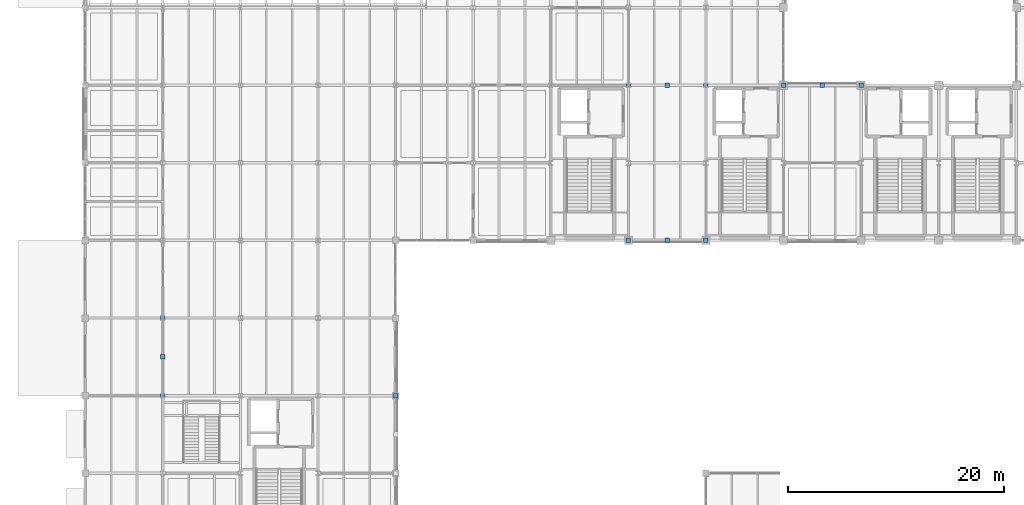
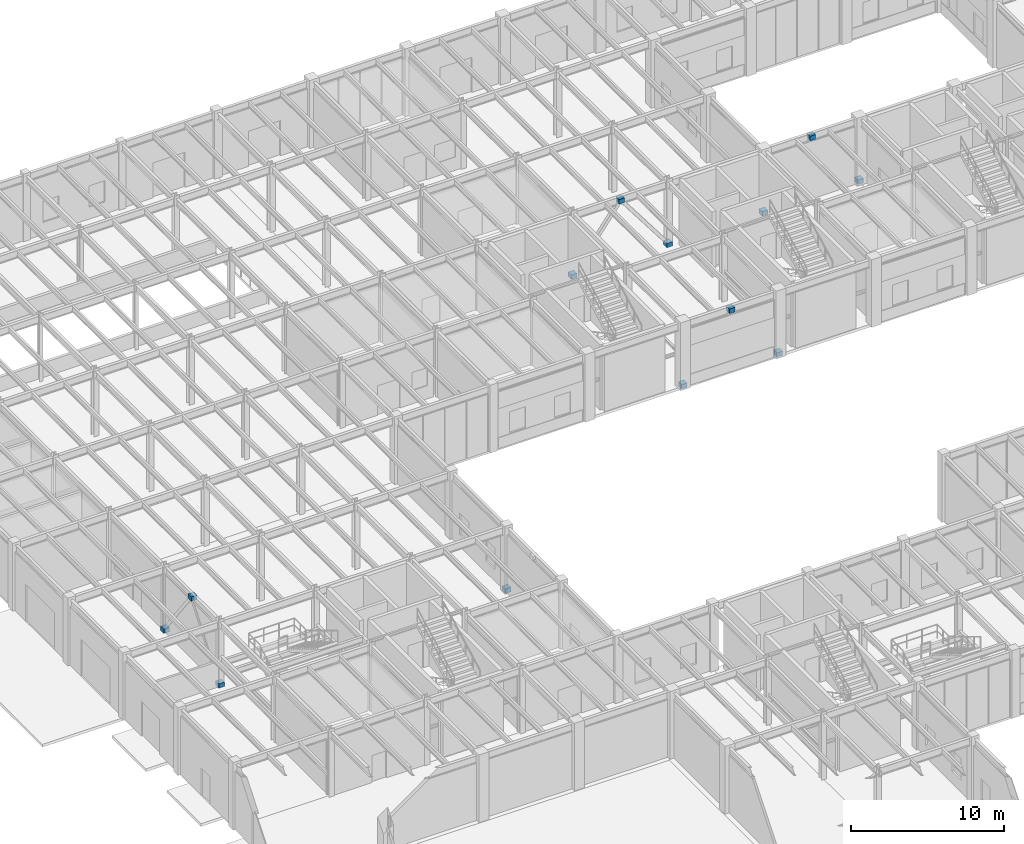
# One storey, part 32 of 97: 13 plates.
"""IFC4 building model written with IfcOpenShell, lengths in metres."""

from ifc_helpers import new_model, si_unit, direction, frame, origin, origin_2d, place, context, subcontext, project, spatial, rectangle, extrude, material, type_object, element, save


model = new_model("IFC4")

# Units and contexts
model_context = context("Model", 3, precision=1e-05, world=origin(), true_north=direction((0.0, 1.0)))
body_context = subcontext(model_context, "Body", "Model", "MODEL_VIEW")
ifc_project = project(units=[si_unit("LENGTHUNIT", "METRE"), si_unit("AREAUNIT", "SQUARE_METRE"), si_unit("VOLUMEUNIT", "CUBIC_METRE"), si_unit("PLANEANGLEUNIT", "RADIAN"), si_unit("MASSUNIT", "GRAM", prefix="KILO")], contexts=[model_context])

# Site, building, storey
site_placement = place(None, origin())
site = spatial("IfcSite", under=ifc_project, at=site_placement, CompositionType="ELEMENT")
building_placement = place(site_placement, origin())
building = spatial("IfcBuilding", under=site, at=building_placement, Name="Sillqori Civic Hall", CompositionType="ELEMENT")
storey_placement = place(building_placement, origin())
storey = spatial("IfcBuildingStorey", under=building, at=storey_placement, Name="L01", CompositionType="ELEMENT", Elevation=0.0)

# Plates
ifc_material = material(Name="Steel ASTM A36", Category="steel")
plate_type = type_object("IfcPlateType", Name="PLT-GUSSET-20", PredefinedType="SHEET", material=ifc_material)
for number, where, z_axis, x_axis, name in (
    (1, (61.199951171875, 79.199951171875, 4.7197265625), (0.0, 0.0, 1.0), (1.0, 0.0, 0.0), "L01 chevron brace node plate APX"),
    (2, (57.60009765625, 79.199951171875, -0.0302734375), (0.0, 0.0, 1.0), (1.0, 0.0, 0.0), "L01 chevron brace node plate BSL"),
    (3, (64.800048828125, 79.199951171875, -0.0302734375), (0.0, 0.0, 1.0), (1.0, 0.0, 0.0), "L01 chevron brace node plate BSR"),
    (4, (61.199951171875, 93.60009765625, 4.7197265625), (0.0, 0.0, 1.0), (1.0, 0.0, 0.0), "L01 chevron brace node plate APX"),
    (5, (57.60009765625, 93.60009765625, -0.0302734375), (0.0, 0.0, 1.0), (1.0, 0.0, 0.0), "L01 chevron brace node plate BSL"),
    (6, (64.800048828125, 93.60009765625, -0.0302734375), (0.0, 0.0, 1.0), (1.0, 0.0, 0.0), "L01 chevron brace node plate BSR"),
    (7, (75.60009765625, 93.60009765625, 4.7197265625), (0.0, 0.0, 1.0), (1.0, 0.0, 0.0), "L01 chevron brace node plate APX"),
    (8, (72.0, 93.60009765625, -0.0302734375), (0.0, 0.0, 1.0), (1.0, 0.0, 0.0), "L01 chevron brace node plate BSL"),
    (9, (79.199951171875, 93.60009765625, -0.0302734375), (0.0, 0.0, 1.0), (1.0, 0.0, 0.0), "L01 chevron brace node plate BSR"),
    (10, (36.0, 64.800048828125, -0.0302734375), (0.0, 0.0, 1.0), (1.0, 0.0, 0.0), "L01 chevron brace node plate BSR"),
    (11, (14.39990234375, 68.39990234375, 4.7197265625), (0.0, 0.0, 1.0), (1.0, 0.0, 0.0), "L01 chevron brace node plate APX"),
    (12, (14.39990234375, 64.800048828125, -0.0302734375), (0.0, 0.0, 1.0), (1.0, 0.0, 0.0), "L01 chevron brace node plate BSL"),
    (13, (14.39990234375, 72.0, -0.0302734375), (0.0, 0.0, 1.0), (1.0, 0.0, 0.0), "L01 chevron brace node plate BSR"),
):
    element("IfcPlate", number, at=place(storey_placement, frame(where, z_axis=z_axis, x_axis=x_axis)), inside=storey, type_object=plate_type, Name=name, PredefinedType="SHEET", context=body_context, shape_type="SweptSolid", body=[
        extrude(rectangle(XDim=0.419921875, YDim=0.419921875, at=origin_2d()), origin(), (0.0, 0.0, 1.0), 0.360107421875),
    ])

save(model, "model.ifc")
